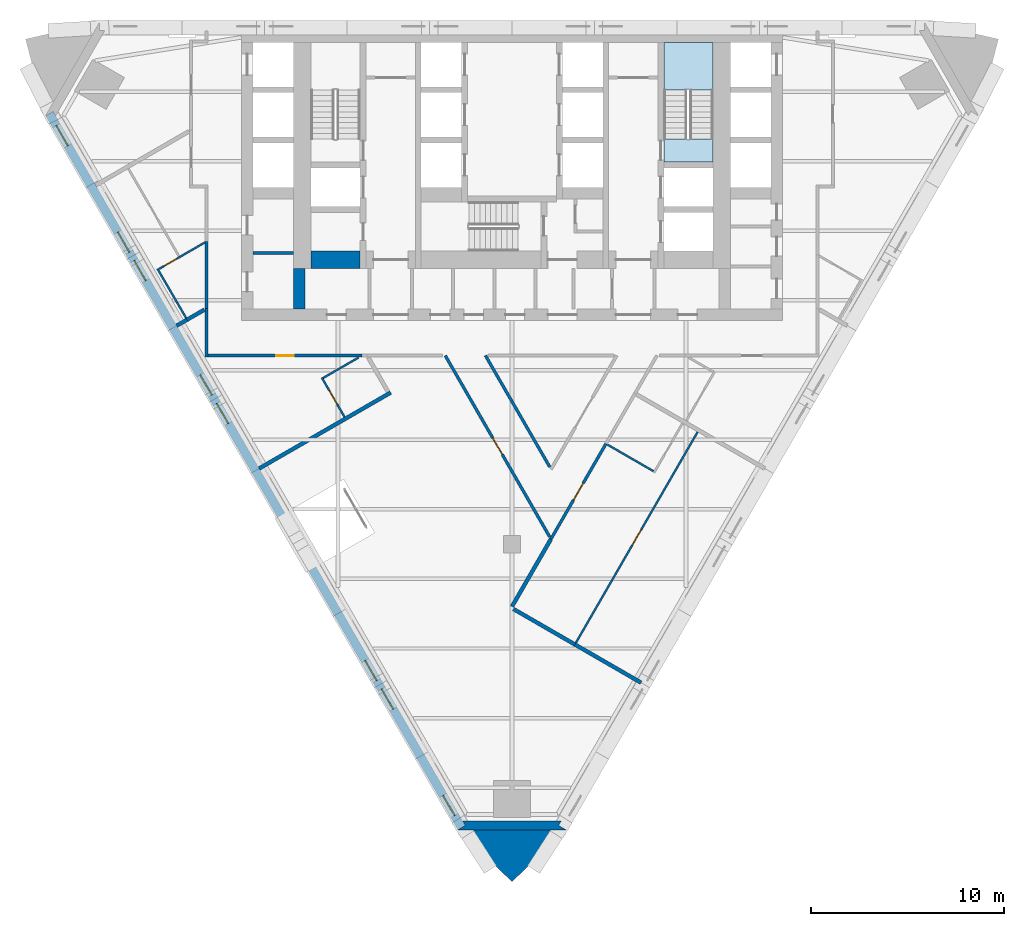
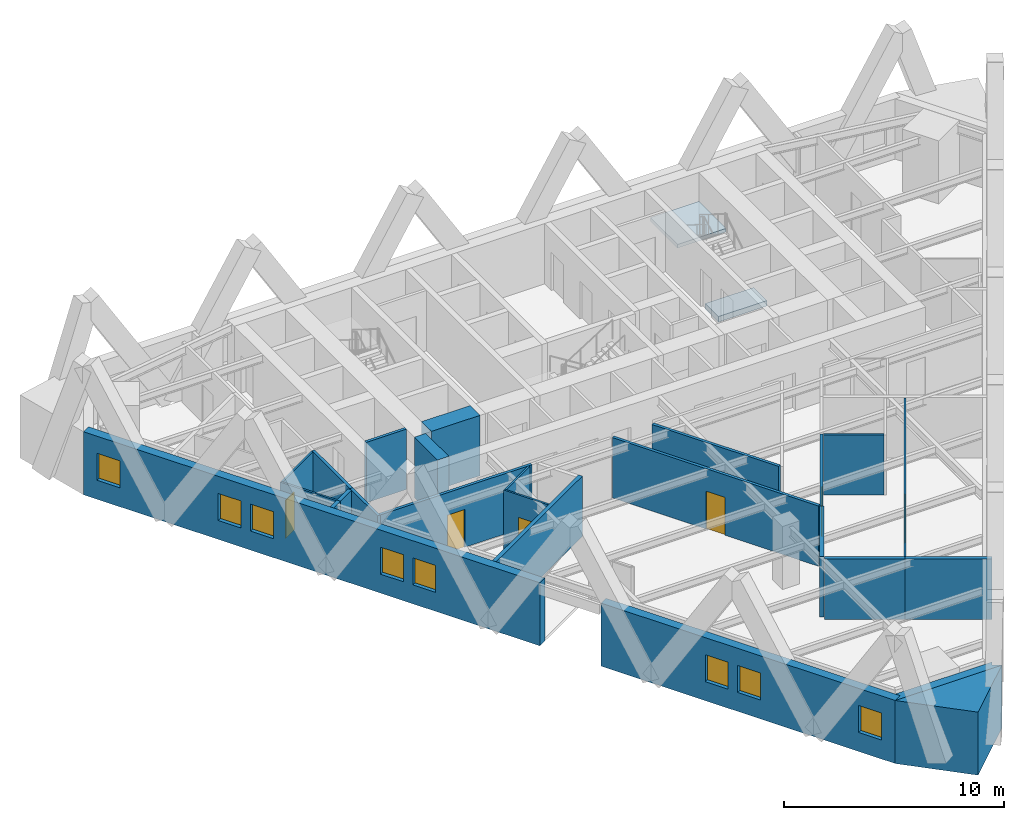
# One storey, part 6 of 12: 25 walls, 8 windows, 6 doors, 2 slabs, 14 openings, 1 element without a shape of its own.
"""IFC4 building model written with IfcOpenShell, lengths in metres."""

from ifc_helpers import new_model, si_unit, direction, frame, frame_2d, origin, place, context, subcontext, project, spatial, polyline, rectangle, outline, extrude, material, layer, layer_set, type_object, element, fill, aggregate, save


model = new_model("IFC4")

# Units and contexts
model_context = context("Model", 3, precision=1e-05, world=origin(), true_north=direction((0.0, 1.0)))
body_context = subcontext(model_context, "Body", "Model", "MODEL_VIEW")
ifc_project = project(units=[si_unit("LENGTHUNIT", "METRE"), si_unit("AREAUNIT", "SQUARE_METRE"), si_unit("VOLUMEUNIT", "CUBIC_METRE"), si_unit("PLANEANGLEUNIT", "RADIAN"), si_unit("MASSUNIT", "GRAM", prefix="KILO")], contexts=[model_context])

# Site, building, storey
site_placement = place(None, origin())
site = spatial("IfcSite", under=ifc_project, at=site_placement, CompositionType="ELEMENT")
building_placement = place(site_placement, origin())
building = spatial("IfcBuilding", under=site, at=building_placement, Name="Aloe Facet Convention Tower", CompositionType="ELEMENT")
storey_placement = place(building_placement, frame((0.0, 0.0, 102.800048828125)))
storey = spatial("IfcBuildingStorey", under=building, at=storey_placement, Name="L25", CompositionType="ELEMENT", Elevation=102.800048828125)

# Slab
ifc_material_1 = material(Name="Concrete C70/85", Category="concrete")
ifc_layer_1 = layer(ifc_material_1, 0.300048828125)
ifc_layer_set_1 = layer_set([ifc_layer_1], Name="CR-S-FLOOR300-C7085")
slab_type_1 = type_object("IfcSlabType", Name="CR-S-FLOOR300-C7085", PredefinedType="FLOOR", material=ifc_layer_set_1)
slab_1_placement = place(storey_placement, frame((0.0, 0.0, -0.300048828125)))
element("IfcSlab", 1, at=slab_1_placement, inside=storey, type_object=slab_type_1, Name="Stair landing floor L25", PredefinedType="FLOOR", context=body_context, shape_type="SweptSolid", body=[
    extrude(outline(polyline([(90.39990234375, 127.75), (90.39990234375, 128.951171875), (87.85009765625, 128.951171875), (87.85009765625, 127.75), (90.39990234375, 127.75)])), origin(), (0.0, 0.0, 1.0), 0.300048828125),
])

# Stair, slab
ifc_material_2 = material(Name="Concrete C50/60", Category="concrete")
stair_type = type_object("IfcStairType", Name="CR-ST-20R", PredefinedType="HALF_TURN_STAIR", material=ifc_material_2)
stair_placement = place(storey_placement, origin())
stair = element("IfcStair", 2, at=stair_placement, inside=storey, type_object=stair_type, Name="L25 Protected exit stair ST2", PredefinedType="HALF_TURN_STAIR")
ifc_material_3 = material(Name="Concrete C50/60", Category="concrete")
ifc_layer_2 = layer(ifc_material_3, 0.199951171875)
ifc_layer_set_2 = layer_set([ifc_layer_2], Name="CR-SL-LANDING")
slab_type_2 = type_object("IfcSlabType", Name="CR-SL-LANDING", PredefinedType="LANDING", material=ifc_layer_set_2)
slab_2_placement = place(storey_placement, frame((0.0, 0.0, 1.550048828125)))
slab_2 = element("IfcSlab", 3, at=slab_2_placement, type_object=slab_type_2, Name="ST2 landing 1", PredefinedType="LANDING", context=body_context, shape_type="SweptSolid", body=[
    extrude(outline(polyline([(90.39990234375, 131.469970703125), (90.39990234375, 133.949951171875), (87.85009765625, 133.949951171875), (87.85009765625, 131.469970703125), (90.39990234375, 131.469970703125)])), origin(), (0.0, 0.0, 1.0), 0.199951171875),
])
aggregate(stair, [slab_2])

# Walls
ifc_material_4 = material(Name="Concrete blockwork partition", Category="masonry")
ifc_layer_3 = layer(ifc_material_4, 0.14990234375)
ifc_layer_set_3 = layer_set([ifc_layer_3], Name="CR-W-PART150")
wall_type_1 = type_object("IfcWallType", Name="CR-W-PART150", PredefinedType="PARTITIONING", material=ifc_layer_set_3)
wall_1_placement = place(storey_placement, frame((66.60009765625, 123.048583984375, 0.0), z_axis=(0.0, 0.0, 1.0), x_axis=(1.0, 0.0, 0.0)))
element("IfcWall", 4, at=wall_1_placement, inside=storey, type_object=wall_type_1, Name="Core partition L25-007", PredefinedType="PARTITIONING", context=body_context, shape_type="SweptSolid", body=[
    extrude(rectangle(XDim=2.099853515625, YDim=0.14990234375, at=frame_2d((1.0498046875, 0.0))), origin(), (0.0, 0.0, 1.0), 3.349853515625),
])
ifc_material_5 = material(Name="Concrete C70/85", Category="concrete")
ifc_layer_4 = layer(ifc_material_5, 0.60009765625)
ifc_layer_set_4 = layer_set([ifc_layer_4], Name="CR-W-RC600-C7085")
wall_type_2 = type_object("IfcWallType", Name="CR-W-RC600-C7085", PredefinedType="SOLIDWALL", material=ifc_layer_set_4)
wall_2_placement = place(storey_placement, frame((69.0, 122.25, 0.0), z_axis=(0.0, 0.0, 1.0), x_axis=(0.0, -1.0, 0.0)))
element("IfcWall", 5, at=wall_2_placement, inside=storey, type_object=wall_type_2, Name="Core wall L25-009", PredefinedType="SOLIDWALL", context=body_context, shape_type="SweptSolid", body=[
    extrude(rectangle(XDim=2.10009765625, YDim=0.60009765625, at=frame_2d((1.050048828125, 0.0))), origin(), (0.0, 0.0, 1.0), 3.349853515625),
])
ifc_material_6 = material(Name="Concrete C70/85", Category="concrete")
ifc_layer_5 = layer(ifc_material_6, 0.89990234375)
ifc_layer_set_5 = layer_set([ifc_layer_5], Name="CR-W-RC900-C7085")
wall_type_3 = type_object("IfcWallType", Name="CR-W-RC900-C7085", PredefinedType="SOLIDWALL", material=ifc_layer_set_5)
wall_3_placement = place(storey_placement, frame((69.60009765625, 122.699951171875, 0.0), z_axis=(0.0, 0.0, 1.0), x_axis=(1.0, 0.0, 0.0)))
element("IfcWall", 6, at=wall_3_placement, inside=storey, type_object=wall_type_3, Name="Core wall L25-012", PredefinedType="SOLIDWALL", context=body_context, shape_type="SweptSolid", body=[
    extrude(rectangle(XDim=2.5498046875, YDim=0.89990234375, at=frame_2d((1.27490234375, 0.0))), origin(), (0.0, 0.0, 1.0), 3.349853515625),
])
ifc_material_7 = material(Name="Precast concrete C40/50", Category="concrete")
ifc_layer_6 = layer(ifc_material_7, 0.449951171875)
ifc_layer_set_6 = layer_set([ifc_layer_6], Name="EV-WALL-PIER")
wall_type_4 = type_object("IfcWallType", Name="EV-WALL-PIER", PredefinedType="SOLIDWALL", material=ifc_layer_set_6)
wall_4_placement = place(storey_placement, frame((0.0, 0.0, -0.150146484375)))
element("IfcWall", 7, at=wall_4_placement, inside=storey, type_object=wall_type_4, Name="EP-L25-B", PredefinedType="SOLIDWALL", context=body_context, shape_type="SweptSolid", body=[
    extrude(outline(polyline([(77.199951171875, 93.22021484375), (77.589599609375, 93.4453125), (77.459716796875, 93.670166015625), (82.540283203125, 93.670166015625), (82.410400390625, 93.4453125), (82.800048828125, 93.22021484375), (77.199951171875, 93.22021484375)])), origin(), (0.0, 0.0, 1.0), 3.5),
])
ifc_material_8 = material(Name="Precast concrete C40/50", Category="concrete")
ifc_layer_7 = layer(ifc_material_8, 3.947998046875)
ifc_layer_set_7 = layer_set([ifc_layer_7], Name="EV-WALL-SPINE")
wall_type_5 = type_object("IfcWallType", Name="EV-WALL-SPINE", PredefinedType="SOLIDWALL", material=ifc_layer_set_7)
wall_5_placement = place(storey_placement, frame((0.0, 0.0, -0.150146484375)))
element("IfcWall", 8, at=wall_5_placement, inside=storey, type_object=wall_type_5, Name="SP-S-L25", PredefinedType="SOLIDWALL", context=body_context, shape_type="SweptSolid", body=[
    extrude(outline(polyline([(77.199951171875, 93.22021484375), (80.0, 90.537109375), (82.800048828125, 93.22021484375), (77.199951171875, 93.22021484375)])), origin(), (0.0, 0.0, 1.0), 3.5),
])

# Wall, openings, windows
ifc_material_9 = material(Name="Precast concrete C40/50", Category="concrete")
ifc_layer_8 = layer(ifc_material_9, 0.449951171875)
ifc_layer_set_8 = layer_set([ifc_layer_8], Name="EV-WALL-STONE")
wall_type_6 = type_object("IfcWallType", Name="EV-WALL-STONE", PredefinedType="SOLIDWALL", material=ifc_layer_set_8)
wall_6_placement = place(storey_placement, frame((56.0732421875, 130.2626953125, -0.150146484375), z_axis=(0.0, 0.0, 1.0), x_axis=(0.500002343971, -0.866024050488, 0.0)))
wall_6 = element("IfcWall", 9, at=wall_6_placement, inside=storey, type_object=wall_type_6, Name="EW-L25-W01", PredefinedType="SOLIDWALL", context=body_context, shape_type="SweptSolid", body=[
    extrude(outline(polyline([(0.0, 0.0), (0.0, 3.5), (23.98583984375, 3.5), (23.98583984375, 0.0), (0.0, 0.0)])), frame((0.0, 0.22509765625, 0.0), z_axis=(0.0, -1.0, 0.0), x_axis=(1.0, 0.0, 0.0)), (0.0, 0.0, 1.0), 0.449951171875),
])
opening_1_placement = place(wall_6_placement, frame((0.720458984375, 0.0, 1.050048828125)))
opening_1 = element("IfcOpeningElement", 10, at=opening_1_placement, cuts=wall_6, Name="Opening W-L25-W01", PredefinedType="OPENING", context=body_context, shape_type="SweptSolid", body=[
    extrude(rectangle(XDim=1.199951171875, YDim=1.5, at=frame_2d((0.60009765625, 0.75))), frame((0.0, 0.23486328125, 0.0), z_axis=(0.0, -1.0, 0.0), x_axis=(1.0, 0.0, 0.0)), (0.0, 0.0, 1.0), 0.469970703125),
])
opening_2_placement = place(wall_6_placement, frame((7.07861328125, 0.0, 1.050048828125)))
opening_2 = element("IfcOpeningElement", 11, at=opening_2_placement, cuts=wall_6, Name="Opening W-L25-W02", PredefinedType="OPENING", context=body_context, shape_type="SweptSolid", body=[
    extrude(rectangle(XDim=1.199951171875, YDim=1.5, at=frame_2d((0.60009765625, 0.75))), frame((0.0, 0.23486328125, 0.0), z_axis=(0.0, -1.0, 0.0), x_axis=(1.0, 0.0, 0.0)), (0.0, 0.0, 1.0), 0.469970703125),
])
opening_3_placement = place(wall_6_placement, frame((8.778564453125, 0.0, 1.050048828125)))
opening_3 = element("IfcOpeningElement", 12, at=opening_3_placement, cuts=wall_6, Name="Opening W-L25-W03", PredefinedType="OPENING", context=body_context, shape_type="SweptSolid", body=[
    extrude(rectangle(XDim=1.199951171875, YDim=1.5, at=frame_2d((0.60009765625, 0.75))), frame((0.0, 0.23486328125, 0.0), z_axis=(0.0, -1.0, 0.0), x_axis=(1.0, 0.0, 0.0)), (0.0, 0.0, 1.0), 0.469970703125),
])
opening_4_placement = place(wall_6_placement, frame((15.607177734375, 0.0, 1.050048828125)))
opening_4 = element("IfcOpeningElement", 13, at=opening_4_placement, cuts=wall_6, Name="Opening W-L25-W04", PredefinedType="OPENING", context=body_context, shape_type="SweptSolid", body=[
    extrude(rectangle(XDim=1.199951171875, YDim=1.5, at=frame_2d((0.60009765625, 0.75))), frame((0.0, 0.23486328125, 0.0), z_axis=(0.0, -1.0, 0.0), x_axis=(1.0, 0.0, 0.0)), (0.0, 0.0, 1.0), 0.469970703125),
])
opening_5_placement = place(wall_6_placement, frame((17.30712890625, 0.0, 1.050048828125)))
opening_5 = element("IfcOpeningElement", 14, at=opening_5_placement, cuts=wall_6, Name="Opening W-L25-W05", PredefinedType="OPENING", context=body_context, shape_type="SweptSolid", body=[
    extrude(rectangle(XDim=1.199951171875, YDim=1.5, at=frame_2d((0.60009765625, 0.75))), frame((0.0, 0.23486328125, 0.0), z_axis=(0.0, -1.0, 0.0), x_axis=(1.0, 0.0, 0.0)), (0.0, 0.0, 1.0), 0.469970703125),
])
ifc_material_10 = material(Name="Aluminium frame, clear double glazing", Category="aluminium")
window_type = type_object("IfcWindowType", Name="EV-WIN-H12", PartitioningType="SINGLE_PANEL", PredefinedType="WINDOW", material=ifc_material_10)
window_1_placement = place(opening_1_placement, origin())
window_1 = element("IfcWindow", 15, at=window_1_placement, inside=storey, type_object=window_type, Name="W-L25-W01", OverallHeight=1.5, OverallWidth=1.199951171875, PartitioningType="SINGLE_PANEL", PredefinedType="WINDOW", context=body_context, shape_type="SweptSolid", body=[
    extrude(rectangle(XDim=1.199951171875, YDim=1.5, at=frame_2d((0.60009765625, 0.75))), frame((0.0, 0.030029296875, 0.0), z_axis=(0.0, -1.0, 0.0), x_axis=(1.0, 0.0, 0.0)), (0.0, 0.0, 1.0), 0.06005859375),
])
fill(opening_1, window_1)
window_2_placement = place(opening_2_placement, origin())
window_2 = element("IfcWindow", 16, at=window_2_placement, inside=storey, type_object=window_type, Name="W-L25-W02", OverallHeight=1.5, OverallWidth=1.199951171875, PartitioningType="SINGLE_PANEL", PredefinedType="WINDOW", context=body_context, shape_type="SweptSolid", body=[
    extrude(rectangle(XDim=1.199951171875, YDim=1.5, at=frame_2d((0.60009765625, 0.75))), frame((0.0, 0.030029296875, 0.0), z_axis=(0.0, -1.0, 0.0), x_axis=(1.0, 0.0, 0.0)), (0.0, 0.0, 1.0), 0.06005859375),
])
fill(opening_2, window_2)
window_3_placement = place(opening_3_placement, origin())
window_3 = element("IfcWindow", 17, at=window_3_placement, inside=storey, type_object=window_type, Name="W-L25-W03", OverallHeight=1.5, OverallWidth=1.199951171875, PartitioningType="SINGLE_PANEL", PredefinedType="WINDOW", context=body_context, shape_type="SweptSolid", body=[
    extrude(rectangle(XDim=1.199951171875, YDim=1.5, at=frame_2d((0.60009765625, 0.75))), frame((0.0, 0.030029296875, 0.0), z_axis=(0.0, -1.0, 0.0), x_axis=(1.0, 0.0, 0.0)), (0.0, 0.0, 1.0), 0.06005859375),
])
fill(opening_3, window_3)
window_4_placement = place(opening_4_placement, origin())
window_4 = element("IfcWindow", 18, at=window_4_placement, inside=storey, type_object=window_type, Name="W-L25-W04", OverallHeight=1.5, OverallWidth=1.199951171875, PartitioningType="SINGLE_PANEL", PredefinedType="WINDOW", context=body_context, shape_type="SweptSolid", body=[
    extrude(rectangle(XDim=1.199951171875, YDim=1.5, at=frame_2d((0.60009765625, 0.75))), frame((0.0, 0.030029296875, 0.0), z_axis=(0.0, -1.0, 0.0), x_axis=(1.0, 0.0, 0.0)), (0.0, 0.0, 1.0), 0.06005859375),
])
fill(opening_4, window_4)
window_5_placement = place(opening_5_placement, origin())
window_5 = element("IfcWindow", 19, at=window_5_placement, inside=storey, type_object=window_type, Name="W-L25-W05", OverallHeight=1.5, OverallWidth=1.199951171875, PartitioningType="SINGLE_PANEL", PredefinedType="WINDOW", context=body_context, shape_type="SweptSolid", body=[
    extrude(rectangle(XDim=1.199951171875, YDim=1.5, at=frame_2d((0.60009765625, 0.75))), frame((0.0, 0.030029296875, 0.0), z_axis=(0.0, -1.0, 0.0), x_axis=(1.0, 0.0, 0.0)), (0.0, 0.0, 1.0), 0.06005859375),
])
fill(opening_5, window_5)

wall_7_placement = place(storey_placement, frame((69.666259765625, 106.71923828125, -0.150146484375), z_axis=(0.0, 0.0, 1.0), x_axis=(0.499991795389, -0.866030140667, 0.0)))
wall_7 = element("IfcWall", 20, at=wall_7_placement, inside=storey, type_object=wall_type_6, Name="EW-L25-W02", PredefinedType="SOLIDWALL", context=body_context, shape_type="SweptSolid", body=[
    extrude(outline(polyline([(15.457275390625, 3.5), (15.457275390625, 0.0), (0.0, 0.0), (0.0, 3.5), (15.457275390625, 3.5)])), frame((0.0, 0.22509765625, 0.0), z_axis=(0.0, -1.0, 0.0), x_axis=(1.0, 0.0, 0.0)), (0.0, 0.0, 1.0), 0.449951171875),
])
opening_6_placement = place(wall_7_placement, frame((5.478515625, 0.0, 1.050048828125)))
opening_6 = element("IfcOpeningElement", 21, at=opening_6_placement, cuts=wall_7, Name="Opening W-L25-W06", PredefinedType="OPENING", context=body_context, shape_type="SweptSolid", body=[
    extrude(rectangle(XDim=1.199951171875, YDim=1.5, at=frame_2d((0.60009765625, 0.75))), frame((0.0, 0.23486328125, 0.0), z_axis=(0.0, -1.0, 0.0), x_axis=(1.0, 0.0, 0.0)), (0.0, 0.0, 1.0), 0.469970703125),
])
opening_7_placement = place(wall_7_placement, frame((7.1787109375, 0.0, 1.050048828125)))
opening_7 = element("IfcOpeningElement", 22, at=opening_7_placement, cuts=wall_7, Name="Opening W-L25-W07", PredefinedType="OPENING", context=body_context, shape_type="SweptSolid", body=[
    extrude(rectangle(XDim=1.199951171875, YDim=1.5, at=frame_2d((0.60009765625, 0.75))), frame((0.0, 0.23486328125, 0.0), z_axis=(0.0, -1.0, 0.0), x_axis=(1.0, 0.0, 0.0)), (0.0, 0.0, 1.0), 0.469970703125),
])
opening_8_placement = place(wall_7_placement, frame((13.53662109375, 0.0, 1.050048828125)))
opening_8 = element("IfcOpeningElement", 23, at=opening_8_placement, cuts=wall_7, Name="Opening W-L25-W08", PredefinedType="OPENING", context=body_context, shape_type="SweptSolid", body=[
    extrude(rectangle(XDim=1.199951171875, YDim=1.5, at=frame_2d((0.60009765625, 0.75))), frame((0.0, 0.23486328125, 0.0), z_axis=(0.0, -1.0, 0.0), x_axis=(1.0, 0.0, 0.0)), (0.0, 0.0, 1.0), 0.469970703125),
])
window_6_placement = place(opening_6_placement, origin())
window_6 = element("IfcWindow", 24, at=window_6_placement, inside=storey, type_object=window_type, Name="W-L25-W06", OverallHeight=1.5, OverallWidth=1.199951171875, PartitioningType="SINGLE_PANEL", PredefinedType="WINDOW", context=body_context, shape_type="SweptSolid", body=[
    extrude(rectangle(XDim=1.199951171875, YDim=1.5, at=frame_2d((0.60009765625, 0.75))), frame((0.0, 0.030029296875, 0.0), z_axis=(0.0, -1.0, 0.0), x_axis=(1.0, 0.0, 0.0)), (0.0, 0.0, 1.0), 0.06005859375),
])
fill(opening_6, window_6)
window_7_placement = place(opening_7_placement, origin())
window_7 = element("IfcWindow", 25, at=window_7_placement, inside=storey, type_object=window_type, Name="W-L25-W07", OverallHeight=1.5, OverallWidth=1.199951171875, PartitioningType="SINGLE_PANEL", PredefinedType="WINDOW", context=body_context, shape_type="SweptSolid", body=[
    extrude(rectangle(XDim=1.199951171875, YDim=1.5, at=frame_2d((0.60009765625, 0.75))), frame((0.0, 0.030029296875, 0.0), z_axis=(0.0, -1.0, 0.0), x_axis=(1.0, 0.0, 0.0)), (0.0, 0.0, 1.0), 0.06005859375),
])
fill(opening_7, window_7)
window_8_placement = place(opening_8_placement, origin())
window_8 = element("IfcWindow", 26, at=window_8_placement, inside=storey, type_object=window_type, Name="W-L25-W08", OverallHeight=1.5, OverallWidth=1.199951171875, PartitioningType="SINGLE_PANEL", PredefinedType="WINDOW", context=body_context, shape_type="SweptSolid", body=[
    extrude(rectangle(XDim=1.199951171875, YDim=1.5, at=frame_2d((0.60009765625, 0.75))), frame((0.0, 0.030029296875, 0.0), z_axis=(0.0, -1.0, 0.0), x_axis=(1.0, 0.0, 0.0)), (0.0, 0.0, 1.0), 0.06005859375),
])
fill(opening_8, window_8)

# Wall, opening, door
ifc_material_11 = material(Name="Gypsum board partition on steel studs", Category="steel")
ifc_layer_9 = layer(ifc_material_11, 0.14990234375)
ifc_layer_set_9 = layer_set([ifc_layer_9], Name="IN-W-CORR")
wall_type_7 = type_object("IfcWallType", Name="IN-W-CORR", PredefinedType="PARTITIONING", material=ifc_layer_set_9)
wall_8_placement = place(storey_placement, frame((76.5478515625, 117.75, 0.0), z_axis=(0.0, 0.0, 1.0), x_axis=(0.499203981413, -0.866484497808, 0.0)))
wall_8 = element("IfcWall", 27, at=wall_8_placement, inside=storey, type_object=wall_type_7, Name="Partition L25-W005", PredefinedType="PARTITIONING", context=body_context, shape_type="SweptSolid", body=[
    extrude(rectangle(XDim=10.831787109375, YDim=0.14990234375, at=frame_2d((5.416015625, 0.0))), origin(), (0.0, 0.0, 1.0), 3.349853515625),
])
opening_9_placement = place(wall_8_placement, frame((4.915771484375, 0.0, 0.0)))
opening_9 = element("IfcOpeningElement", 28, at=opening_9_placement, cuts=wall_8, Name="Opening L25-004", PredefinedType="OPENING", context=body_context, shape_type="SweptSolid", body=[
    extrude(rectangle(XDim=1.0, YDim=2.10009765625, at=frame_2d((0.5, 1.050048828125))), frame((0.0, 0.0849609375, 0.0), z_axis=(0.0, -1.0, 0.0), x_axis=(1.0, 0.0, 0.0)), (0.0, 0.0, 1.0), 0.169921875),
])
ifc_material_12 = material(Name="Hardwood flush door FD30S", Category="wood")
door_type_1 = type_object("IfcDoorType", Name="IN-D-WIDE", OperationType="SINGLE_SWING_LEFT", PredefinedType="DOOR", material=ifc_material_12)
door_1_placement = place(opening_9_placement, origin())
door_1 = element("IfcDoor", 29, at=door_1_placement, inside=storey, type_object=door_type_1, Name="Door L25-004", OperationType="SINGLE_SWING_LEFT", OverallHeight=2.10009765625, OverallWidth=1.0, PredefinedType="DOOR", context=body_context, shape_type="SweptSolid", body=[
    extrude(rectangle(XDim=1.0, YDim=2.10009765625, at=frame_2d((0.5, 1.050048828125))), frame((0.0, 0.02490234375, 0.0), z_axis=(0.0, -1.0, 0.0), x_axis=(1.0, 0.0, 0.0)), (0.0, 0.0, 1.0), 0.050048828125),
])
fill(opening_9, door_1)

wall_9_placement = place(storey_placement, frame((82.014892578125, 108.260498046875, 0.0), z_axis=(0.0, 0.0, 1.0), x_axis=(0.500002303494, 0.866024073857, 0.0)))
wall_9 = element("IfcWall", 30, at=wall_9_placement, inside=storey, type_object=wall_type_7, Name="Partition L25-W010", PredefinedType="PARTITIONING", context=body_context, shape_type="SweptSolid", body=[
    extrude(rectangle(XDim=5.68896484375, YDim=0.14990234375, at=frame_2d((2.844482421875, 0.0))), origin(), (0.0, 0.0, 1.0), 3.349853515625),
])
opening_10_placement = place(wall_9_placement, frame((2.344482421875, 0.0, 0.0)))
opening_10 = element("IfcOpeningElement", 31, at=opening_10_placement, cuts=wall_9, Name="Opening L25-008", PredefinedType="OPENING", context=body_context, shape_type="SweptSolid", body=[
    extrude(rectangle(XDim=1.0, YDim=2.10009765625, at=frame_2d((0.5, 1.050048828125))), frame((0.0, 0.0849609375, 0.0), z_axis=(0.0, -1.0, 0.0), x_axis=(1.0, 0.0, 0.0)), (0.0, 0.0, 1.0), 0.169921875),
])
door_2_placement = place(opening_10_placement, origin())
door_2 = element("IfcDoor", 32, at=door_2_placement, inside=storey, type_object=door_type_1, Name="Door L25-008", OperationType="SINGLE_SWING_LEFT", OverallHeight=2.10009765625, OverallWidth=1.0, PredefinedType="DOOR", context=body_context, shape_type="SweptSolid", body=[
    extrude(rectangle(XDim=1.0, YDim=2.10009765625, at=frame_2d((0.5, 1.050048828125))), frame((0.0, 0.02490234375, 0.0), z_axis=(0.0, -1.0, 0.0), x_axis=(1.0, 0.0, 0.0)), (0.0, 0.0, 1.0), 0.050048828125),
])
fill(opening_10, door_2)

# Wall
wall_10_placement = place(storey_placement, frame((64.199951171875, 117.675048828125, 0.0), z_axis=(0.0, 0.0, 1.0), x_axis=(0.0, 1.0, 0.0)))
element("IfcWall", 33, at=wall_10_placement, inside=storey, type_object=wall_type_7, Name="Partition L25-W033", PredefinedType="PARTITIONING", context=body_context, shape_type="SweptSolid", body=[
    extrude(rectangle(XDim=2.507568359375, YDim=0.14990234375, at=frame_2d((1.25390625, 0.0))), origin(), (0.0, 0.0, 1.0), 3.349853515625),
])

# Wall, opening, door
wall_11_placement = place(storey_placement, frame((64.27490234375, 117.75, 0.0), z_axis=(0.0, 0.0, 1.0), x_axis=(1.0, 0.0, 0.0)))
wall_11 = element("IfcWall", 34, at=wall_11_placement, inside=storey, type_object=wall_type_7, Name="Partition L25-W035", PredefinedType="PARTITIONING", context=body_context, shape_type="SweptSolid", body=[
    extrude(rectangle(XDim=7.96875, YDim=0.14990234375, at=frame_2d((3.984375, 0.0))), origin(), (0.0, 0.0, 1.0), 3.349853515625),
])
opening_11_placement = place(wall_11_placement, frame((3.534423828125, 0.0, 0.0)))
opening_11 = element("IfcOpeningElement", 35, at=opening_11_placement, cuts=wall_11, Name="Opening L25-001", PredefinedType="OPENING", context=body_context, shape_type="SweptSolid", body=[
    extrude(rectangle(XDim=0.89990234375, YDim=2.10009765625, at=frame_2d((0.449951171875, 1.050048828125))), frame((0.0, 0.0849609375, 0.0), z_axis=(0.0, -1.0, 0.0), x_axis=(1.0, 0.0, 0.0)), (0.0, 0.0, 1.0), 0.169921875),
])
ifc_material_13 = material(Name="Hardwood flush door FD30S", Category="wood")
door_type_2 = type_object("IfcDoorType", Name="IN-D-GUEST", OperationType="SINGLE_SWING_LEFT", PredefinedType="DOOR", material=ifc_material_13)
door_3_placement = place(opening_11_placement, origin())
door_3 = element("IfcDoor", 36, at=door_3_placement, inside=storey, type_object=door_type_2, Name="Door L25-001", OperationType="SINGLE_SWING_LEFT", OverallHeight=2.10009765625, OverallWidth=0.89990234375, PredefinedType="DOOR", context=body_context, shape_type="SweptSolid", body=[
    extrude(rectangle(XDim=0.89990234375, YDim=2.10009765625, at=frame_2d((0.449951171875, 1.050048828125))), frame((0.0, 0.02490234375, 0.0), z_axis=(0.0, -1.0, 0.0), x_axis=(1.0, 0.0, 0.0)), (0.0, 0.0, 1.0), 0.050048828125),
])
fill(opening_11, door_3)

# Walls
wall_12_placement = place(storey_placement, frame((78.626220703125, 117.75, 0.0), z_axis=(0.0, 0.0, 1.0), x_axis=(0.499995378973, -0.866028071719, 0.0)))
element("IfcWall", 37, at=wall_12_placement, inside=storey, type_object=wall_type_7, Name="Partition L25-W038", PredefinedType="PARTITIONING", context=body_context, shape_type="SweptSolid", body=[
    extrude(rectangle(XDim=6.6591796875, YDim=0.14990234375, at=frame_2d((3.32958984375, 0.0))), origin(), (0.0, 0.0, 1.0), 3.349853515625),
])
wall_13_placement = place(storey_placement, frame((64.199951171875, 120.1826171875, 0.0), z_axis=(0.0, 0.0, 1.0), x_axis=(0.0, 1.0, 0.0)))
element("IfcWall", 38, at=wall_13_placement, inside=storey, type_object=wall_type_7, Name="Partition L25-W056", PredefinedType="PARTITIONING", context=body_context, shape_type="SweptSolid", body=[
    extrude(rectangle(XDim=3.464111328125, YDim=0.14990234375, at=frame_2d((1.73193359375, 0.0))), origin(), (0.0, 0.0, 1.0), 3.349853515625),
])
ifc_material_14 = material(Name="Gypsum board partition on steel studs", Category="steel")
ifc_layer_10 = layer(ifc_material_14, 0.10009765625)
ifc_layer_set_10 = layer_set([ifc_layer_10], Name="IN-W-PART")
wall_type_8 = type_object("IfcWallType", Name="IN-W-PART", PredefinedType="PARTITIONING", material=ifc_layer_set_10)
wall_14_placement = place(storey_placement, frame((84.932861328125, 113.144775390625, 0.0), z_axis=(0.0, 0.0, 1.0), x_axis=(0.866004076171, -0.500036938691, 0.0)))
element("IfcWall", 39, at=wall_14_placement, inside=storey, type_object=wall_type_8, Name="Partition L25-W011", PredefinedType="PARTITIONING", context=body_context, shape_type="SweptSolid", body=[
    extrude(rectangle(XDim=2.755126953125, YDim=0.10009765625, at=frame_2d((1.37744140625, 0.0))), origin(), (0.0, 0.0, 1.0), 3.349853515625),
])

# Wall, opening, door
wall_15_placement = place(storey_placement, frame((83.308837890625, 102.901611328125, 0.0), z_axis=(0.0, 0.0, 1.0), x_axis=(0.499996436937, 0.86602746091, 0.0)))
wall_15 = element("IfcWall", 40, at=wall_15_placement, inside=storey, type_object=wall_type_8, Name="Partition L25-W013", PredefinedType="PARTITIONING", context=body_context, shape_type="SweptSolid", body=[
    extrude(rectangle(XDim=12.57275390625, YDim=0.10009765625, at=frame_2d((6.286376953125, 0.0))), origin(), (0.0, 0.0, 1.0), 3.349853515625),
])
opening_12_placement = place(wall_15_placement, frame((5.83642578125, 0.0, 0.0)))
opening_12 = element("IfcOpeningElement", 41, at=opening_12_placement, cuts=wall_15, Name="Opening L25-013", PredefinedType="OPENING", context=body_context, shape_type="SweptSolid", body=[
    extrude(rectangle(XDim=0.89990234375, YDim=2.10009765625, at=frame_2d((0.449951171875, 1.050048828125))), frame((0.0, 0.06005859375, 0.0), z_axis=(0.0, -1.0, 0.0), x_axis=(1.0, 0.0, 0.0)), (0.0, 0.0, 1.0), 0.1201171875),
])
ifc_material_15 = material(Name="Timber flush door", Category="wood")
door_type_3 = type_object("IfcDoorType", Name="IN-D-INT", OperationType="SINGLE_SWING_LEFT", PredefinedType="DOOR", material=ifc_material_15)
door_4_placement = place(opening_12_placement, origin())
door_4 = element("IfcDoor", 42, at=door_4_placement, inside=storey, type_object=door_type_3, Name="Door L25-013", OperationType="SINGLE_SWING_LEFT", OverallHeight=2.10009765625, OverallWidth=0.89990234375, PredefinedType="DOOR", context=body_context, shape_type="SweptSolid", body=[
    extrude(rectangle(XDim=0.89990234375, YDim=2.10009765625, at=frame_2d((0.449951171875, 1.050048828125))), frame((0.0, 0.02490234375, 0.0), z_axis=(0.0, -1.0, 0.0), x_axis=(1.0, 0.0, 0.0)), (0.0, 0.0, 1.0), 0.050048828125),
])
fill(opening_12, door_4)

wall_16_placement = place(storey_placement, frame((70.1640625, 116.60693359375, 0.0), z_axis=(0.0, 0.0, 1.0), x_axis=(0.499938297808, -0.866061024631, 0.0)))
wall_16 = element("IfcWall", 43, at=wall_16_placement, inside=storey, type_object=wall_type_8, Name="Partition L25-W021", PredefinedType="PARTITIONING", context=body_context, shape_type="SweptSolid", body=[
    extrude(rectangle(XDim=2.349853515625, YDim=0.10009765625, at=frame_2d((1.1748046875, 0.0))), origin(), (0.0, 0.0, 1.0), 3.349853515625),
])
opening_13_placement = place(wall_16_placement, frame((0.77490234375, 0.0, 0.0)))
opening_13 = element("IfcOpeningElement", 44, at=opening_13_placement, cuts=wall_16, Name="Opening L25-011", PredefinedType="OPENING", context=body_context, shape_type="SweptSolid", body=[
    extrude(rectangle(XDim=0.800048828125, YDim=2.10009765625, at=frame_2d((0.39990234375, 1.050048828125))), frame((0.0, 0.06005859375, 0.0), z_axis=(0.0, -1.0, 0.0), x_axis=(1.0, 0.0, 0.0)), (0.0, 0.0, 1.0), 0.1201171875),
])
ifc_material_16 = material(Name="Timber flush door", Category="wood")
door_type_4 = type_object("IfcDoorType", Name="IN-D-BATH", OperationType="SINGLE_SWING_LEFT", PredefinedType="DOOR", material=ifc_material_16)
door_5_placement = place(opening_13_placement, origin())
door_5 = element("IfcDoor", 45, at=door_5_placement, inside=storey, type_object=door_type_4, Name="Door L25-011", OperationType="SINGLE_SWING_LEFT", OverallHeight=2.10009765625, OverallWidth=0.800048828125, PredefinedType="DOOR", context=body_context, shape_type="SweptSolid", body=[
    extrude(rectangle(XDim=0.800048828125, YDim=2.10009765625, at=frame_2d((0.39990234375, 1.050048828125))), frame((0.0, 0.02490234375, 0.0), z_axis=(0.0, -1.0, 0.0), x_axis=(1.0, 0.0, 0.0)), (0.0, 0.0, 1.0), 0.050048828125),
])
fill(opening_13, door_5)

# Walls
wall_17_placement = place(storey_placement, frame((70.232177734375, 116.588623046875, 0.0), z_axis=(0.0, 0.0, 1.0), x_axis=(0.866028160477, 0.499995225238, 0.0)))
element("IfcWall", 46, at=wall_17_placement, inside=storey, type_object=wall_type_8, Name="Partition L25-W031", PredefinedType="PARTITIONING", context=body_context, shape_type="SweptSolid", body=[
    extrude(rectangle(XDim=2.11767578125, YDim=0.10009765625, at=frame_2d((1.058837890625, 0.0))), origin(), (0.0, 0.0, 1.0), 3.349853515625),
])
wall_18_placement = place(storey_placement, frame((61.663330078125, 122.239990234375, 0.0), z_axis=(0.0, 0.0, 1.0), x_axis=(0.502884554521, -0.864353587847, 0.0)))
element("IfcWall", 47, at=wall_18_placement, inside=storey, type_object=wall_type_8, Name="Partition L25-W047", PredefinedType="PARTITIONING", context=body_context, shape_type="SweptSolid", body=[
    extrude(rectangle(XDim=2.940185546875, YDim=0.10009765625, at=frame_2d((1.47021484375, 0.0))), origin(), (0.0, 0.0, 1.0), 3.349853515625),
])

# Wall, opening, door
wall_19_placement = place(storey_placement, frame((61.740478515625, 122.226806640625, 0.0), z_axis=(0.0, 0.0, 1.0), x_axis=(0.866012292785, 0.50002270823, 0.0)))
wall_19 = element("IfcWall", 48, at=wall_19_placement, inside=storey, type_object=wall_type_8, Name="Partition L25-W053", PredefinedType="PARTITIONING", context=body_context, shape_type="SweptSolid", body=[
    extrude(rectangle(XDim=2.744873046875, YDim=0.10009765625, at=frame_2d((1.37255859375, 0.0))), origin(), (0.0, 0.0, 1.0), 3.349853515625),
])
opening_14_placement = place(wall_19_placement, frame((0.300048828125, 0.0, 0.0)))
opening_14 = element("IfcOpeningElement", 49, at=opening_14_placement, cuts=wall_19, Name="Opening L25-009", PredefinedType="OPENING", context=body_context, shape_type="SweptSolid", body=[
    extrude(rectangle(XDim=0.800048828125, YDim=2.10009765625, at=frame_2d((0.39990234375, 1.050048828125))), frame((0.0, 0.06005859375, 0.0), z_axis=(0.0, -1.0, 0.0), x_axis=(1.0, 0.0, 0.0)), (0.0, 0.0, 1.0), 0.1201171875),
])
door_6_placement = place(opening_14_placement, origin())
door_6 = element("IfcDoor", 50, at=door_6_placement, inside=storey, type_object=door_type_4, Name="Door L25-009", OperationType="SINGLE_SWING_LEFT", OverallHeight=2.10009765625, OverallWidth=0.800048828125, PredefinedType="DOOR", context=body_context, shape_type="SweptSolid", body=[
    extrude(rectangle(XDim=0.800048828125, YDim=2.10009765625, at=frame_2d((0.39990234375, 1.050048828125))), frame((0.0, 0.02490234375, 0.0), z_axis=(0.0, -1.0, 0.0), x_axis=(1.0, 0.0, 0.0)), (0.0, 0.0, 1.0), 0.050048828125),
])
fill(opening_14, door_6)

# Walls
ifc_material_17 = material(Name="Gypsum board partition on steel studs", Category="steel")
ifc_layer_11 = layer(ifc_material_17, 0.199951171875)
ifc_layer_set_11 = layer_set([ifc_layer_11], Name="IN-W-PARTY")
wall_type_9 = type_object("IfcWallType", Name="IN-W-PARTY", PredefinedType="PARTITIONING", material=ifc_layer_set_11)
wall_20_placement = place(storey_placement, frame((80.07421875, 104.64208984375, 0.0), z_axis=(0.0, 0.0, 1.0), x_axis=(0.866008413041, -0.500029427677, 0.0)))
element("IfcWall", 51, at=wall_20_placement, inside=storey, type_object=wall_type_9, Name="Partition L25-W001", PredefinedType="PARTITIONING", context=body_context, shape_type="SweptSolid", body=[
    extrude(rectangle(XDim=3.671630859375, YDim=0.199951171875, at=frame_2d((1.8359375, 0.0))), origin(), (0.0, 0.0, 1.0), 3.349853515625),
])
wall_21_placement = place(storey_placement, frame((83.25390625, 102.80615234375, 0.0), z_axis=(0.0, 0.0, 1.0), x_axis=(0.866032218625, -0.499988196164, 0.0)))
element("IfcWall", 52, at=wall_21_placement, inside=storey, type_object=wall_type_9, Name="Partition L25-W002", PredefinedType="PARTITIONING", context=body_context, shape_type="SweptSolid", body=[
    extrude(rectangle(XDim=3.94970703125, YDim=0.199951171875, at=frame_2d((1.974853515625, 0.0))), origin(), (0.0, 0.0, 1.0), 3.349853515625),
])
wall_22_placement = place(storey_placement, frame((80.0, 104.7705078125, 0.0), z_axis=(0.0, 0.0, 1.0), x_axis=(0.499989908473, 0.866031230052, 0.0)))
element("IfcWall", 53, at=wall_22_placement, inside=storey, type_object=wall_type_9, Name="Partition L25-W004", PredefinedType="PARTITIONING", context=body_context, shape_type="SweptSolid", body=[
    extrude(rectangle(XDim=4.02978515625, YDim=0.199951171875, at=frame_2d((2.014892578125, 0.0))), origin(), (0.0, 0.0, 1.0), 3.349853515625),
])
wall_23_placement = place(storey_placement, frame((66.928955078125, 111.91015625, 0.0), z_axis=(0.0, 0.0, 1.0), x_axis=(0.866021914183, 0.500006044118, 0.0)))
element("IfcWall", 54, at=wall_23_placement, inside=storey, type_object=wall_type_9, Name="Partition L25-W008", PredefinedType="PARTITIONING", context=body_context, shape_type="SweptSolid", body=[
    extrude(rectangle(XDim=7.849609375, YDim=0.199951171875, at=frame_2d((3.9248046875, 0.0))), origin(), (0.0, 0.0, 1.0), 3.349853515625),
])
wall_24_placement = place(storey_placement, frame((62.66455078125, 119.29638671875, 0.0), z_axis=(0.0, 0.0, 1.0), x_axis=(0.86615915044, 0.499768272412, 0.0)))
element("IfcWall", 55, at=wall_24_placement, inside=storey, type_object=wall_type_9, Name="Partition L25-W043", PredefinedType="PARTITIONING", context=body_context, shape_type="SweptSolid", body=[
    extrude(rectangle(XDim=0.614990234375, YDim=0.199951171875, at=frame_2d((0.3076171875, 0.0))), origin(), (0.0, 0.0, 1.0), 3.349853515625),
])
wall_25_placement = place(storey_placement, frame((63.197265625, 119.603759765625, 0.0), z_axis=(0.0, 0.0, 1.0), x_axis=(0.866067506982, 0.499927068031, 0.0)))
element("IfcWall", 56, at=wall_25_placement, inside=storey, type_object=wall_type_9, Name="Partition L25-W048", PredefinedType="PARTITIONING", context=body_context, shape_type="SweptSolid", body=[
    extrude(rectangle(XDim=1.032958984375, YDim=0.199951171875, at=frame_2d((0.5166015625, 0.0))), origin(), (0.0, 0.0, 1.0), 3.349853515625),
])

save(model, "model.ifc")
